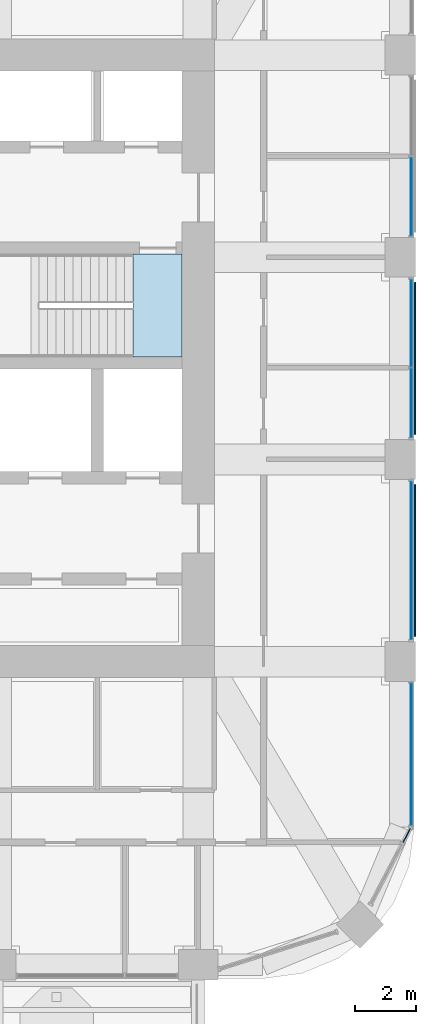
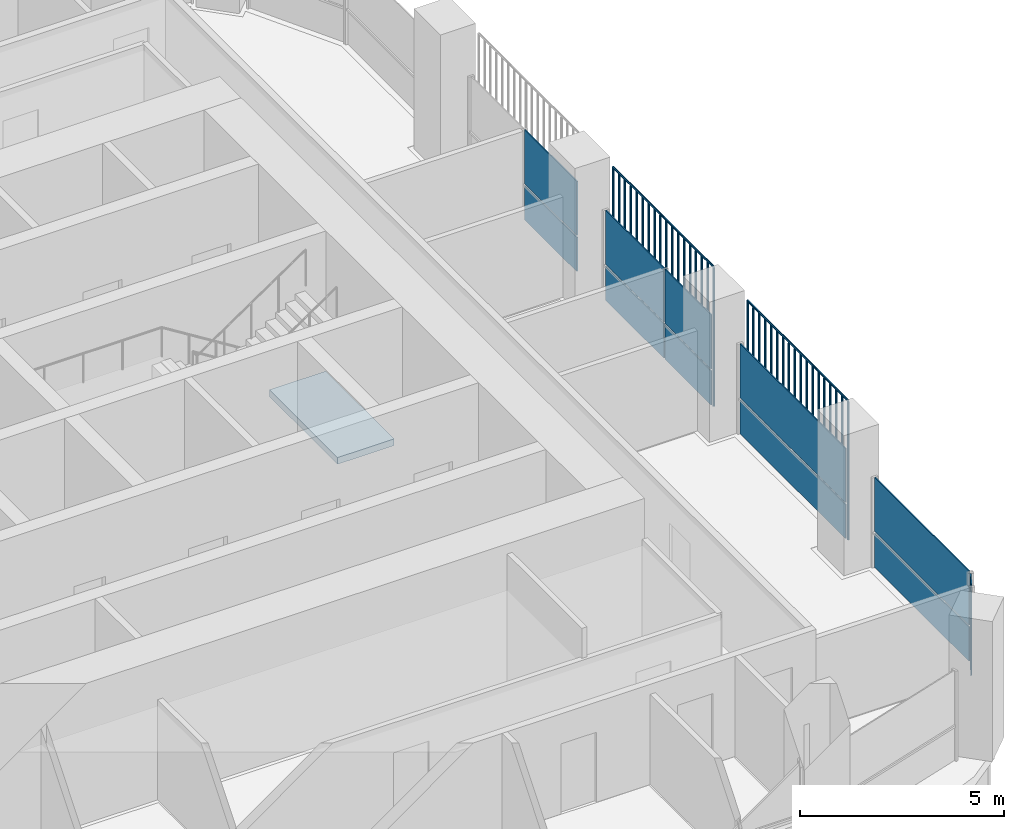
# One storey, part 11 of 20: 14 plates, 1 slab, 6 elements without a shape of their own.
"""IFC4 building model written with IfcOpenShell, lengths in metres."""

from ifc_helpers import new_model, si_unit, direction, frame, origin, origin_2d, place, context, subcontext, project, spatial, polyline, rectangle, outline, extrude, material, layer, layer_set, type_object, element, aggregate, save


model = new_model("IFC4")

# Units and contexts
model_context = context("Model", 3, precision=1e-05, world=origin(), true_north=direction((0.0, 1.0)))
body_context = subcontext(model_context, "Body", "Model", "MODEL_VIEW")
ifc_project = project(units=[si_unit("LENGTHUNIT", "METRE"), si_unit("AREAUNIT", "SQUARE_METRE"), si_unit("VOLUMEUNIT", "CUBIC_METRE"), si_unit("PLANEANGLEUNIT", "RADIAN"), si_unit("MASSUNIT", "GRAM", prefix="KILO")], contexts=[model_context])

# Site, building, storey
site_placement = place(None, origin())
site = spatial("IfcSite", under=ifc_project, at=site_placement, CompositionType="ELEMENT")
building_placement = place(site_placement, origin())
building = spatial("IfcBuilding", under=site, at=building_placement, Name="Cobogo Forest Laboratory Tower", CompositionType="ELEMENT")
storey_placement = place(building_placement, frame((0.0, 0.0, 233.39990234375)))
storey = spatial("IfcBuildingStorey", under=building, at=storey_placement, Name="L53", CompositionType="ELEMENT", Elevation=233.39990234375)

# Curtain wall, plates
ifc_material_1 = material(Name="Aluminium curtain wall", Category="aluminium")
curtain_wall_type = type_object("IfcCurtainWallType", Name="CW-2 unitised curtain wall, solar control glazing, laboratory floors zones C and D", PredefinedType="USERDEFINED", material=ifc_material_1)
curtain_wall_1_placement = place(storey_placement, origin())
curtain_wall_1 = element("IfcCurtainWall", 1, at=curtain_wall_1_placement, inside=storey, type_object=curtain_wall_type, Name="Curtain wall 06 L53", ObjectType="UNITISED CURTAIN WALL", PredefinedType="USERDEFINED")
ifc_material_2 = material(Name="Solar control insulated glass", Category="glass")
ifc_layer_1 = layer(ifc_material_2, 0.031982421875)
ifc_layer_set_1 = layer_set([ifc_layer_1], Name="GP-2 solar control glass unit 32")
plate_type_1 = type_object("IfcPlateType", Name="GP-2 solar control glass unit 32", PredefinedType="CURTAIN_PANEL", material=ifc_layer_set_1)
plate_1_placement = place(storey_placement, frame((46.40234375, 7.51806640625, 0.0), z_axis=(0.0, 0.0, 1.0), x_axis=(0.464283804832, 0.885686484356, 0.0)))
plate_1 = element("IfcPlate", 2, at=plate_1_placement, type_object=plate_type_1, Name="CW-2 panel 2.1", PredefinedType="CURTAIN_PANEL", context=body_context, shape_type="SweptSolid", body=[
    extrude(rectangle(XDim=0.516357421875, YDim=0.031982421875, at=origin_2d()), origin(), (0.0, 0.0, 1.0), 1.02001953125),
])
plate_2_placement = place(storey_placement, frame((46.40234375, 7.51806640625, 1.080078125), z_axis=(0.0, 0.0, 1.0), x_axis=(0.464283804832, 0.885686484356, 0.0)))
plate_2 = element("IfcPlate", 3, at=plate_2_placement, type_object=plate_type_1, Name="CW-2 panel 2.2", PredefinedType="CURTAIN_PANEL", context=body_context, shape_type="SweptSolid", body=[
    extrude(rectangle(XDim=0.516357421875, YDim=0.031982421875, at=origin_2d()), origin(), (0.0, 0.0, 1.0), 1.6201171875),
])
aggregate(curtain_wall_1, [plate_1, plate_2])

curtain_wall_2_placement = place(storey_placement, origin())
curtain_wall_2 = element("IfcCurtainWall", 4, at=curtain_wall_2_placement, inside=storey, type_object=curtain_wall_type, Name="Curtain wall 07 L53", ObjectType="UNITISED CURTAIN WALL", PredefinedType="USERDEFINED")
plate_3_placement = place(storey_placement, frame((46.550048828125, 10.175048828125, 0.0), z_axis=(0.0, 0.0, 1.0), x_axis=(0.0, 1.0, 0.0)))
plate_3 = element("IfcPlate", 5, at=plate_3_placement, type_object=plate_type_1, Name="CW-2 panel 1.1", PredefinedType="CURTAIN_PANEL", context=body_context, shape_type="SweptSolid", body=[
    extrude(rectangle(XDim=4.6298828125, YDim=0.031982421875, at=origin_2d()), origin(), (0.0, 0.0, 1.0), 1.02001953125),
])
plate_4_placement = place(storey_placement, frame((46.550048828125, 10.175048828125, 1.080078125), z_axis=(0.0, 0.0, 1.0), x_axis=(0.0, 1.0, 0.0)))
plate_4 = element("IfcPlate", 6, at=plate_4_placement, type_object=plate_type_1, Name="CW-2 panel 1.2", PredefinedType="CURTAIN_PANEL", context=body_context, shape_type="SweptSolid", body=[
    extrude(rectangle(XDim=4.6298828125, YDim=0.031982421875, at=origin_2d()), origin(), (0.0, 0.0, 1.0), 1.6201171875),
])
aggregate(curtain_wall_2, [plate_3, plate_4])

curtain_wall_3_placement = place(storey_placement, origin())
curtain_wall_3 = element("IfcCurtainWall", 7, at=curtain_wall_3_placement, inside=storey, type_object=curtain_wall_type, Name="Curtain wall 08 L53", ObjectType="UNITISED CURTAIN WALL", PredefinedType="USERDEFINED")
plate_5_placement = place(storey_placement, frame((46.550048828125, 16.5, 0.0), z_axis=(0.0, 0.0, 1.0), x_axis=(0.0, 1.0, 0.0)))
plate_5 = element("IfcPlate", 8, at=plate_5_placement, type_object=plate_type_1, Name="CW-2 panel 1.1", PredefinedType="CURTAIN_PANEL", context=body_context, shape_type="SweptSolid", body=[
    extrude(rectangle(XDim=5.179931640625, YDim=0.031982421875, at=origin_2d()), origin(), (0.0, 0.0, 1.0), 1.02001953125),
])
plate_6_placement = place(storey_placement, frame((46.550048828125, 16.5, 1.080078125), z_axis=(0.0, 0.0, 1.0), x_axis=(0.0, 1.0, 0.0)))
plate_6 = element("IfcPlate", 9, at=plate_6_placement, type_object=plate_type_1, Name="CW-2 panel 1.2", PredefinedType="CURTAIN_PANEL", context=body_context, shape_type="SweptSolid", body=[
    extrude(rectangle(XDim=5.179931640625, YDim=0.031982421875, at=origin_2d()), origin(), (0.0, 0.0, 1.0), 1.6201171875),
])
aggregate(curtain_wall_3, [plate_5, plate_6])

curtain_wall_4_placement = place(storey_placement, origin())
curtain_wall_4 = element("IfcCurtainWall", 10, at=curtain_wall_4_placement, inside=storey, type_object=curtain_wall_type, Name="Curtain wall 09 L53", ObjectType="UNITISED CURTAIN WALL", PredefinedType="USERDEFINED")
plate_7_placement = place(storey_placement, frame((46.550048828125, 21.639892578125, 0.0), z_axis=(0.0, 0.0, 1.0), x_axis=(0.0, 1.0, 0.0)))
plate_7 = element("IfcPlate", 11, at=plate_7_placement, type_object=plate_type_1, Name="CW-2 panel 1.1", PredefinedType="CURTAIN_PANEL", context=body_context, shape_type="SweptSolid", body=[
    extrude(rectangle(XDim=2.260009765625, YDim=0.031982421875, at=origin_2d()), origin(), (0.0, 0.0, 1.0), 1.02001953125),
])
plate_8_placement = place(storey_placement, frame((46.550048828125, 21.639892578125, 1.080078125), z_axis=(0.0, 0.0, 1.0), x_axis=(0.0, 1.0, 0.0)))
plate_8 = element("IfcPlate", 12, at=plate_8_placement, type_object=plate_type_1, Name="CW-2 panel 1.2", PredefinedType="CURTAIN_PANEL", context=body_context, shape_type="SweptSolid", body=[
    extrude(rectangle(XDim=2.260009765625, YDim=0.031982421875, at=origin_2d()), origin(), (0.0, 0.0, 1.0), 1.6201171875),
])
plate_9_placement = place(storey_placement, frame((46.550048828125, 24.260009765625, 0.0), z_axis=(0.0, 0.0, 1.0), x_axis=(0.0, 1.0, 0.0)))
plate_9 = element("IfcPlate", 13, at=plate_9_placement, type_object=plate_type_1, Name="CW-2 panel 2.1", PredefinedType="CURTAIN_PANEL", context=body_context, shape_type="SweptSolid", body=[
    extrude(rectangle(XDim=2.860107421875, YDim=0.031982421875, at=origin_2d()), origin(), (0.0, 0.0, 1.0), 1.02001953125),
])
plate_10_placement = place(storey_placement, frame((46.550048828125, 24.260009765625, 1.080078125), z_axis=(0.0, 0.0, 1.0), x_axis=(0.0, 1.0, 0.0)))
plate_10 = element("IfcPlate", 14, at=plate_10_placement, type_object=plate_type_1, Name="CW-2 panel 2.2", PredefinedType="CURTAIN_PANEL", context=body_context, shape_type="SweptSolid", body=[
    extrude(rectangle(XDim=2.860107421875, YDim=0.031982421875, at=origin_2d()), origin(), (0.0, 0.0, 1.0), 1.6201171875),
])
aggregate(curtain_wall_4, [plate_7, plate_8, plate_9, plate_10])

curtain_wall_5_placement = place(storey_placement, origin())
curtain_wall_5 = element("IfcCurtainWall", 15, at=curtain_wall_5_placement, inside=storey, type_object=curtain_wall_type, Name="Curtain wall 10 L53", ObjectType="UNITISED CURTAIN WALL", PredefinedType="USERDEFINED")
plate_11_placement = place(storey_placement, frame((46.550048828125, 28.389892578125, 0.0), z_axis=(0.0, 0.0, 1.0), x_axis=(0.0, 1.0, 0.0)))
plate_11 = element("IfcPlate", 16, at=plate_11_placement, type_object=plate_type_1, Name="CW-2 panel 1.1", PredefinedType="CURTAIN_PANEL", context=body_context, shape_type="SweptSolid", body=[
    extrude(rectangle(XDim=2.56005859375, YDim=0.031982421875, at=origin_2d()), origin(), (0.0, 0.0, 1.0), 1.02001953125),
])
plate_12_placement = place(storey_placement, frame((46.550048828125, 28.389892578125, 1.080078125), z_axis=(0.0, 0.0, 1.0), x_axis=(0.0, 1.0, 0.0)))
plate_12 = element("IfcPlate", 17, at=plate_12_placement, type_object=plate_type_1, Name="CW-2 panel 1.2", PredefinedType="CURTAIN_PANEL", context=body_context, shape_type="SweptSolid", body=[
    extrude(rectangle(XDim=2.56005859375, YDim=0.031982421875, at=origin_2d()), origin(), (0.0, 0.0, 1.0), 1.6201171875),
])
aggregate(curtain_wall_5, [plate_11, plate_12])

# Stair, slab
ifc_material_3 = material(Name="Precast concrete HA-40 (C40/50)", Category="concrete")
stair_type = type_object("IfcStairType", Name="ST24 exit stair 24 risers", PredefinedType="HALF_TURN_STAIR", material=ifc_material_3)
stair_placement = place(storey_placement, origin())
stair = element("IfcStair", 18, at=stair_placement, inside=storey, type_object=stair_type, Name="Stair 2 L53 to L54", PredefinedType="HALF_TURN_STAIR")
ifc_material_4 = material(Name="Concrete HA-40 (C40/50)", Category="concrete")
ifc_layer_2 = layer(ifc_material_4, 0.199951171875)
ifc_layer_set_2 = layer_set([ifc_layer_2], Name="SL stair landing 200")
slab_type = type_object("IfcSlabType", Name="SL stair landing 200", PredefinedType="LANDING", material=ifc_layer_set_2)
slab_placement = place(storey_placement, frame((0.0, 0.0, -0.199951171875)))
slab = element("IfcSlab", 19, at=slab_placement, type_object=slab_type, Name="ST2 landing 1", PredefinedType="LANDING", context=body_context, shape_type="SweptSolid", body=[
    extrude(outline(polyline([(37.472900390625, 23.14990234375), (39.074951171875, 23.14990234375), (39.074951171875, 26.5), (37.472900390625, 26.5), (37.472900390625, 23.14990234375)])), origin(), (0.0, 0.0, 1.0), 0.199951171875),
])
aggregate(stair, [slab])

# Plates
ifc_material_5 = material(Name="Terracotta", Category="masonry")
plate_type_2 = type_object("IfcPlateType", Name="TB1 terracotta baguette screen", PredefinedType="USERDEFINED", material=ifc_material_5)
plate_13_placement = place(storey_placement, frame((46.677978515625, 14.03125, -0.14990234375)))
element("IfcPlate", 20, at=plate_13_placement, inside=storey, type_object=plate_type_2, Name="Baguette screen E1 L53", ObjectType="BAGUETTE SCREEN", PredefinedType="USERDEFINED", context=body_context, shape_type="SweptSolid", body=[
    extrude(outline(polyline([(0.02880859375, 0.011962890625), (0.011962890625, 0.02880859375), (-0.011962890625, 0.02880859375), (-0.02880859375, 0.011962890625), (-0.02880859375, -0.011962890625), (-0.011962890625, -0.02880859375), (0.011962890625, -0.02880859375), (0.02880859375, -0.011962890625), (0.02880859375, 0.011962890625)])), frame((0.0, 0.0, 4.168701171875), z_axis=(0.0, 1.0, 0.0), x_axis=(-1.0, 0.0, 0.0)), (0.0, 0.0, 1.0), 4.9375),
    extrude(outline(polyline([(0.02880859375, 0.011962890625), (0.011962890625, 0.02880859375), (-0.011962890625, 0.02880859375), (-0.02880859375, 0.011962890625), (-0.02880859375, -0.011962890625), (-0.011962890625, -0.02880859375), (0.011962890625, -0.02880859375), (0.02880859375, -0.011962890625), (0.02880859375, 0.011962890625)])), origin(), (0.0, 0.0, 1.0), 4.137451171875),
    extrude(outline(polyline([(0.02880859375, 0.011962890625), (0.011962890625, 0.02880859375), (-0.011962890625, 0.02880859375), (-0.02880859375, 0.011962890625), (-0.02880859375, -0.011962890625), (-0.011962890625, -0.02880859375), (0.011962890625, -0.02880859375), (0.02880859375, -0.011962890625), (0.02880859375, 0.011962890625)])), frame((0.0, 0.29052734375, 0.0)), (0.0, 0.0, 1.0), 4.137451171875),
    extrude(outline(polyline([(0.02880859375, 0.011962890625), (0.011962890625, 0.02880859375), (-0.011962890625, 0.02880859375), (-0.02880859375, 0.011962890625), (-0.02880859375, -0.011962890625), (-0.011962890625, -0.02880859375), (0.011962890625, -0.02880859375), (0.02880859375, -0.011962890625), (0.02880859375, 0.011962890625)])), frame((0.0, 0.580810546875, 0.0)), (0.0, 0.0, 1.0), 4.137451171875),
    extrude(outline(polyline([(0.02880859375, 0.011962890625), (0.011962890625, 0.02880859375), (-0.011962890625, 0.02880859375), (-0.02880859375, 0.011962890625), (-0.02880859375, -0.011962890625), (-0.011962890625, -0.02880859375), (0.011962890625, -0.02880859375), (0.02880859375, -0.011962890625), (0.02880859375, 0.011962890625)])), frame((0.0, 0.871337890625, 0.0)), (0.0, 0.0, 1.0), 4.137451171875),
    extrude(outline(polyline([(0.02880859375, 0.011962890625), (0.011962890625, 0.02880859375), (-0.011962890625, 0.02880859375), (-0.02880859375, 0.011962890625), (-0.02880859375, -0.011962890625), (-0.011962890625, -0.02880859375), (0.011962890625, -0.02880859375), (0.02880859375, -0.011962890625), (0.02880859375, 0.011962890625)])), frame((0.0, 1.161865234375, 0.0)), (0.0, 0.0, 1.0), 4.137451171875),
    extrude(outline(polyline([(0.02880859375, 0.011962890625), (0.011962890625, 0.02880859375), (-0.011962890625, 0.02880859375), (-0.02880859375, 0.011962890625), (-0.02880859375, -0.011962890625), (-0.011962890625, -0.02880859375), (0.011962890625, -0.02880859375), (0.02880859375, -0.011962890625), (0.02880859375, 0.011962890625)])), frame((0.0, 1.4521484375, 0.0)), (0.0, 0.0, 1.0), 4.137451171875),
    extrude(outline(polyline([(0.02880859375, 0.011962890625), (0.011962890625, 0.02880859375), (-0.011962890625, 0.02880859375), (-0.02880859375, 0.011962890625), (-0.02880859375, -0.011962890625), (-0.011962890625, -0.02880859375), (0.011962890625, -0.02880859375), (0.02880859375, -0.011962890625), (0.02880859375, 0.011962890625)])), frame((0.0, 1.74267578125, 0.0)), (0.0, 0.0, 1.0), 4.137451171875),
    extrude(outline(polyline([(0.02880859375, 0.011962890625), (0.011962890625, 0.02880859375), (-0.011962890625, 0.02880859375), (-0.02880859375, 0.011962890625), (-0.02880859375, -0.011962890625), (-0.011962890625, -0.02880859375), (0.011962890625, -0.02880859375), (0.02880859375, -0.011962890625), (0.02880859375, 0.011962890625)])), frame((0.0, 2.033203125, 0.0)), (0.0, 0.0, 1.0), 4.137451171875),
    extrude(outline(polyline([(0.02880859375, 0.011962890625), (0.011962890625, 0.02880859375), (-0.011962890625, 0.02880859375), (-0.02880859375, 0.011962890625), (-0.02880859375, -0.011962890625), (-0.011962890625, -0.02880859375), (0.011962890625, -0.02880859375), (0.02880859375, -0.011962890625), (0.02880859375, 0.011962890625)])), frame((0.0, 2.323486328125, 0.0)), (0.0, 0.0, 1.0), 4.137451171875),
    extrude(outline(polyline([(0.02880859375, 0.011962890625), (0.011962890625, 0.02880859375), (-0.011962890625, 0.02880859375), (-0.02880859375, 0.011962890625), (-0.02880859375, -0.011962890625), (-0.011962890625, -0.02880859375), (0.011962890625, -0.02880859375), (0.02880859375, -0.011962890625), (0.02880859375, 0.011962890625)])), frame((0.0, 2.614013671875, 0.0)), (0.0, 0.0, 1.0), 4.137451171875),
    extrude(outline(polyline([(0.02880859375, 0.011962890625), (0.011962890625, 0.02880859375), (-0.011962890625, 0.02880859375), (-0.02880859375, 0.011962890625), (-0.02880859375, -0.011962890625), (-0.011962890625, -0.02880859375), (0.011962890625, -0.02880859375), (0.02880859375, -0.011962890625), (0.02880859375, 0.011962890625)])), frame((0.0, 2.904296875, 0.0)), (0.0, 0.0, 1.0), 4.137451171875),
    extrude(outline(polyline([(0.02880859375, 0.011962890625), (0.011962890625, 0.02880859375), (-0.011962890625, 0.02880859375), (-0.02880859375, 0.011962890625), (-0.02880859375, -0.011962890625), (-0.011962890625, -0.02880859375), (0.011962890625, -0.02880859375), (0.02880859375, -0.011962890625), (0.02880859375, 0.011962890625)])), frame((0.0, 3.19482421875, 0.0)), (0.0, 0.0, 1.0), 4.137451171875),
    extrude(outline(polyline([(0.02880859375, 0.011962890625), (0.011962890625, 0.02880859375), (-0.011962890625, 0.02880859375), (-0.02880859375, 0.011962890625), (-0.02880859375, -0.011962890625), (-0.011962890625, -0.02880859375), (0.011962890625, -0.02880859375), (0.02880859375, -0.011962890625), (0.02880859375, 0.011962890625)])), frame((0.0, 3.4853515625, 0.0)), (0.0, 0.0, 1.0), 4.137451171875),
    extrude(outline(polyline([(0.02880859375, 0.011962890625), (0.011962890625, 0.02880859375), (-0.011962890625, 0.02880859375), (-0.02880859375, 0.011962890625), (-0.02880859375, -0.011962890625), (-0.011962890625, -0.02880859375), (0.011962890625, -0.02880859375), (0.02880859375, -0.011962890625), (0.02880859375, 0.011962890625)])), frame((0.0, 3.775634765625, 0.0)), (0.0, 0.0, 1.0), 4.137451171875),
    extrude(outline(polyline([(0.02880859375, 0.011962890625), (0.011962890625, 0.02880859375), (-0.011962890625, 0.02880859375), (-0.02880859375, 0.011962890625), (-0.02880859375, -0.011962890625), (-0.011962890625, -0.02880859375), (0.011962890625, -0.02880859375), (0.02880859375, -0.011962890625), (0.02880859375, 0.011962890625)])), frame((0.0, 4.066162109375, 0.0)), (0.0, 0.0, 1.0), 4.137451171875),
    extrude(outline(polyline([(0.02880859375, 0.011962890625), (0.011962890625, 0.02880859375), (-0.011962890625, 0.02880859375), (-0.02880859375, 0.011962890625), (-0.02880859375, -0.011962890625), (-0.011962890625, -0.02880859375), (0.011962890625, -0.02880859375), (0.02880859375, -0.011962890625), (0.02880859375, 0.011962890625)])), frame((0.0, 4.356689453125, 0.0)), (0.0, 0.0, 1.0), 4.137451171875),
    extrude(outline(polyline([(0.02880859375, 0.011962890625), (0.011962890625, 0.02880859375), (-0.011962890625, 0.02880859375), (-0.02880859375, 0.011962890625), (-0.02880859375, -0.011962890625), (-0.011962890625, -0.02880859375), (0.011962890625, -0.02880859375), (0.02880859375, -0.011962890625), (0.02880859375, 0.011962890625)])), frame((0.0, 4.64697265625, 0.0)), (0.0, 0.0, 1.0), 4.137451171875),
    extrude(outline(polyline([(0.02880859375, 0.011962890625), (0.011962890625, 0.02880859375), (-0.011962890625, 0.02880859375), (-0.02880859375, 0.011962890625), (-0.02880859375, -0.011962890625), (-0.011962890625, -0.02880859375), (0.011962890625, -0.02880859375), (0.02880859375, -0.011962890625), (0.02880859375, 0.011962890625)])), frame((0.0, 4.9375, 0.0)), (0.0, 0.0, 1.0), 4.137451171875),
])
plate_14_placement = place(storey_placement, frame((46.677978515625, 20.63134765625, -0.14990234375)))
element("IfcPlate", 21, at=plate_14_placement, inside=storey, type_object=plate_type_2, Name="Baguette screen E2 L53", ObjectType="BAGUETTE SCREEN", PredefinedType="USERDEFINED", context=body_context, shape_type="SweptSolid", body=[
    extrude(outline(polyline([(0.02880859375, 0.011962890625), (0.011962890625, 0.02880859375), (-0.011962890625, 0.02880859375), (-0.02880859375, 0.011962890625), (-0.02880859375, -0.011962890625), (-0.011962890625, -0.02880859375), (0.011962890625, -0.02880859375), (0.02880859375, -0.011962890625), (0.02880859375, 0.011962890625)])), frame((0.0, 0.0, 4.168701171875), z_axis=(0.0, 1.0, 0.0), x_axis=(-1.0, 0.0, 0.0)), (0.0, 0.0, 1.0), 4.9375),
    extrude(outline(polyline([(0.02880859375, 0.011962890625), (0.011962890625, 0.02880859375), (-0.011962890625, 0.02880859375), (-0.02880859375, 0.011962890625), (-0.02880859375, -0.011962890625), (-0.011962890625, -0.02880859375), (0.011962890625, -0.02880859375), (0.02880859375, -0.011962890625), (0.02880859375, 0.011962890625)])), origin(), (0.0, 0.0, 1.0), 4.137451171875),
    extrude(outline(polyline([(0.02880859375, 0.011962890625), (0.011962890625, 0.02880859375), (-0.011962890625, 0.02880859375), (-0.02880859375, 0.011962890625), (-0.02880859375, -0.011962890625), (-0.011962890625, -0.02880859375), (0.011962890625, -0.02880859375), (0.02880859375, -0.011962890625), (0.02880859375, 0.011962890625)])), frame((0.0, 0.29052734375, 0.0)), (0.0, 0.0, 1.0), 4.137451171875),
    extrude(outline(polyline([(0.02880859375, 0.011962890625), (0.011962890625, 0.02880859375), (-0.011962890625, 0.02880859375), (-0.02880859375, 0.011962890625), (-0.02880859375, -0.011962890625), (-0.011962890625, -0.02880859375), (0.011962890625, -0.02880859375), (0.02880859375, -0.011962890625), (0.02880859375, 0.011962890625)])), frame((0.0, 0.580810546875, 0.0)), (0.0, 0.0, 1.0), 4.137451171875),
    extrude(outline(polyline([(0.02880859375, 0.011962890625), (0.011962890625, 0.02880859375), (-0.011962890625, 0.02880859375), (-0.02880859375, 0.011962890625), (-0.02880859375, -0.011962890625), (-0.011962890625, -0.02880859375), (0.011962890625, -0.02880859375), (0.02880859375, -0.011962890625), (0.02880859375, 0.011962890625)])), frame((0.0, 0.871337890625, 0.0)), (0.0, 0.0, 1.0), 4.137451171875),
    extrude(outline(polyline([(0.02880859375, 0.011962890625), (0.011962890625, 0.02880859375), (-0.011962890625, 0.02880859375), (-0.02880859375, 0.011962890625), (-0.02880859375, -0.011962890625), (-0.011962890625, -0.02880859375), (0.011962890625, -0.02880859375), (0.02880859375, -0.011962890625), (0.02880859375, 0.011962890625)])), frame((0.0, 1.161865234375, 0.0)), (0.0, 0.0, 1.0), 4.137451171875),
    extrude(outline(polyline([(0.02880859375, 0.011962890625), (0.011962890625, 0.02880859375), (-0.011962890625, 0.02880859375), (-0.02880859375, 0.011962890625), (-0.02880859375, -0.011962890625), (-0.011962890625, -0.02880859375), (0.011962890625, -0.02880859375), (0.02880859375, -0.011962890625), (0.02880859375, 0.011962890625)])), frame((0.0, 1.4521484375, 0.0)), (0.0, 0.0, 1.0), 4.137451171875),
    extrude(outline(polyline([(0.02880859375, 0.011962890625), (0.011962890625, 0.02880859375), (-0.011962890625, 0.02880859375), (-0.02880859375, 0.011962890625), (-0.02880859375, -0.011962890625), (-0.011962890625, -0.02880859375), (0.011962890625, -0.02880859375), (0.02880859375, -0.011962890625), (0.02880859375, 0.011962890625)])), frame((0.0, 1.74267578125, 0.0)), (0.0, 0.0, 1.0), 4.137451171875),
    extrude(outline(polyline([(0.02880859375, 0.011962890625), (0.011962890625, 0.02880859375), (-0.011962890625, 0.02880859375), (-0.02880859375, 0.011962890625), (-0.02880859375, -0.011962890625), (-0.011962890625, -0.02880859375), (0.011962890625, -0.02880859375), (0.02880859375, -0.011962890625), (0.02880859375, 0.011962890625)])), frame((0.0, 2.033203125, 0.0)), (0.0, 0.0, 1.0), 4.137451171875),
    extrude(outline(polyline([(0.02880859375, 0.011962890625), (0.011962890625, 0.02880859375), (-0.011962890625, 0.02880859375), (-0.02880859375, 0.011962890625), (-0.02880859375, -0.011962890625), (-0.011962890625, -0.02880859375), (0.011962890625, -0.02880859375), (0.02880859375, -0.011962890625), (0.02880859375, 0.011962890625)])), frame((0.0, 2.323486328125, 0.0)), (0.0, 0.0, 1.0), 4.137451171875),
    extrude(outline(polyline([(0.02880859375, 0.011962890625), (0.011962890625, 0.02880859375), (-0.011962890625, 0.02880859375), (-0.02880859375, 0.011962890625), (-0.02880859375, -0.011962890625), (-0.011962890625, -0.02880859375), (0.011962890625, -0.02880859375), (0.02880859375, -0.011962890625), (0.02880859375, 0.011962890625)])), frame((0.0, 2.614013671875, 0.0)), (0.0, 0.0, 1.0), 4.137451171875),
    extrude(outline(polyline([(0.02880859375, 0.011962890625), (0.011962890625, 0.02880859375), (-0.011962890625, 0.02880859375), (-0.02880859375, 0.011962890625), (-0.02880859375, -0.011962890625), (-0.011962890625, -0.02880859375), (0.011962890625, -0.02880859375), (0.02880859375, -0.011962890625), (0.02880859375, 0.011962890625)])), frame((0.0, 2.904296875, 0.0)), (0.0, 0.0, 1.0), 4.137451171875),
    extrude(outline(polyline([(0.02880859375, 0.011962890625), (0.011962890625, 0.02880859375), (-0.011962890625, 0.02880859375), (-0.02880859375, 0.011962890625), (-0.02880859375, -0.011962890625), (-0.011962890625, -0.02880859375), (0.011962890625, -0.02880859375), (0.02880859375, -0.011962890625), (0.02880859375, 0.011962890625)])), frame((0.0, 3.19482421875, 0.0)), (0.0, 0.0, 1.0), 4.137451171875),
    extrude(outline(polyline([(0.02880859375, 0.011962890625), (0.011962890625, 0.02880859375), (-0.011962890625, 0.02880859375), (-0.02880859375, 0.011962890625), (-0.02880859375, -0.011962890625), (-0.011962890625, -0.02880859375), (0.011962890625, -0.02880859375), (0.02880859375, -0.011962890625), (0.02880859375, 0.011962890625)])), frame((0.0, 3.4853515625, 0.0)), (0.0, 0.0, 1.0), 4.137451171875),
    extrude(outline(polyline([(0.02880859375, 0.011962890625), (0.011962890625, 0.02880859375), (-0.011962890625, 0.02880859375), (-0.02880859375, 0.011962890625), (-0.02880859375, -0.011962890625), (-0.011962890625, -0.02880859375), (0.011962890625, -0.02880859375), (0.02880859375, -0.011962890625), (0.02880859375, 0.011962890625)])), frame((0.0, 3.775634765625, 0.0)), (0.0, 0.0, 1.0), 4.137451171875),
    extrude(outline(polyline([(0.02880859375, 0.011962890625), (0.011962890625, 0.02880859375), (-0.011962890625, 0.02880859375), (-0.02880859375, 0.011962890625), (-0.02880859375, -0.011962890625), (-0.011962890625, -0.02880859375), (0.011962890625, -0.02880859375), (0.02880859375, -0.011962890625), (0.02880859375, 0.011962890625)])), frame((0.0, 4.066162109375, 0.0)), (0.0, 0.0, 1.0), 4.137451171875),
    extrude(outline(polyline([(0.02880859375, 0.011962890625), (0.011962890625, 0.02880859375), (-0.011962890625, 0.02880859375), (-0.02880859375, 0.011962890625), (-0.02880859375, -0.011962890625), (-0.011962890625, -0.02880859375), (0.011962890625, -0.02880859375), (0.02880859375, -0.011962890625), (0.02880859375, 0.011962890625)])), frame((0.0, 4.356689453125, 0.0)), (0.0, 0.0, 1.0), 4.137451171875),
    extrude(outline(polyline([(0.02880859375, 0.011962890625), (0.011962890625, 0.02880859375), (-0.011962890625, 0.02880859375), (-0.02880859375, 0.011962890625), (-0.02880859375, -0.011962890625), (-0.011962890625, -0.02880859375), (0.011962890625, -0.02880859375), (0.02880859375, -0.011962890625), (0.02880859375, 0.011962890625)])), frame((0.0, 4.64697265625, 0.0)), (0.0, 0.0, 1.0), 4.137451171875),
    extrude(outline(polyline([(0.02880859375, 0.011962890625), (0.011962890625, 0.02880859375), (-0.011962890625, 0.02880859375), (-0.02880859375, 0.011962890625), (-0.02880859375, -0.011962890625), (-0.011962890625, -0.02880859375), (0.011962890625, -0.02880859375), (0.02880859375, -0.011962890625), (0.02880859375, 0.011962890625)])), frame((0.0, 4.9375, 0.0)), (0.0, 0.0, 1.0), 4.137451171875),
])

save(model, "model.ifc")
